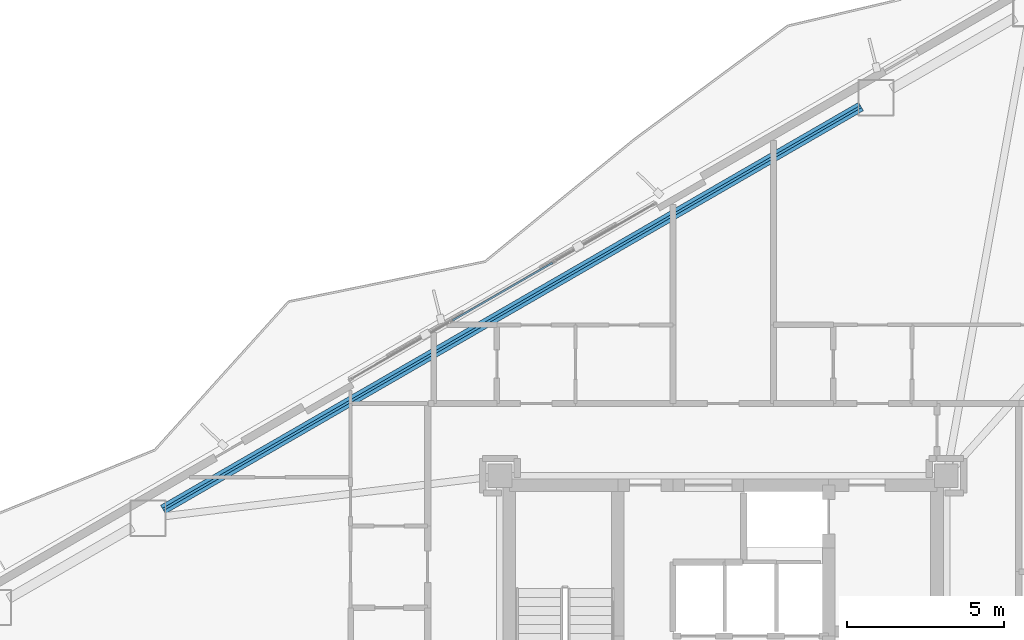
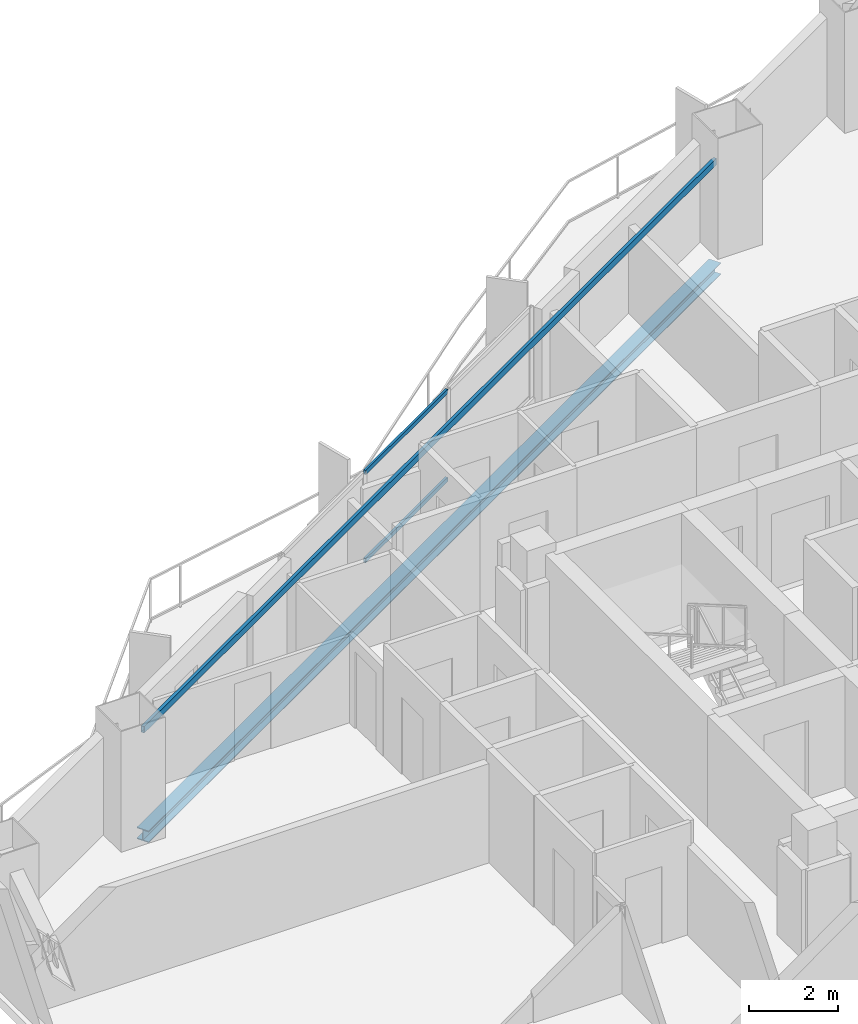
# One storey, part 12 of 22: 2 beams, 2 members, 1 element without a shape of its own.
"""IFC4 building model written with IfcOpenShell, lengths in metres."""

from ifc_helpers import new_model, si_unit, direction, frame, origin, origin_2d, place, context, subcontext, project, spatial, hollow_rectangle, i_section, extrude, material, layer, layer_set, material_profile, profile_set, type_object, element, aggregate, save


model = new_model("IFC4")

# Units and contexts
model_context = context("Model", 3, precision=1e-05, world=origin(), true_north=direction((0.0, 1.0)))
body_context = subcontext(model_context, "Body", "Model", "MODEL_VIEW")
ifc_project = project(units=[si_unit("LENGTHUNIT", "METRE"), si_unit("AREAUNIT", "SQUARE_METRE"), si_unit("VOLUMEUNIT", "CUBIC_METRE"), si_unit("PLANEANGLEUNIT", "RADIAN"), si_unit("MASSUNIT", "GRAM", prefix="KILO")], contexts=[model_context])

# Site, building, storey
site_placement = place(None, origin())
site = spatial("IfcSite", under=ifc_project, at=site_placement, CompositionType="ELEMENT")
building_placement = place(site_placement, origin())
building = spatial("IfcBuilding", under=site, at=building_placement, Name="Mersakhor Tower and Convention Hall", CompositionType="ELEMENT")
storey_placement = place(building_placement, frame((0.0, 0.0, 103.199951171875)))
storey = spatial("IfcBuildingStorey", under=building, at=storey_placement, Name="L28", CompositionType="ELEMENT", Elevation=103.199951171875)

# Beams
ifc_material_1 = material(Name="Steel S355", Category="steel")
ifc_material_profile_1 = material_profile(ifc_material_1, hollow_rectangle(XDim=0.080078125, YDim=0.179931640625, WallThickness=0.008056640625, at=origin_2d()), Name="RHS 180x80x8")
ifc_profile_set_1 = profile_set([ifc_material_profile_1], Name="Steel S355")
beam_type_1 = type_object("IfcBeamType", Name="BM-GRT-RHS180", PredefinedType="USERDEFINED", material=ifc_profile_set_1)
beam_1_placement = place(storey_placement, frame((11.18310546875, 31.976318359375, 2.47998046875), z_axis=(0.866022538643, 0.500004962538, 0.0), x_axis=(-0.500004962538, 0.866022538643, 0.0)))
element("IfcBeam", 1, at=beam_1_placement, inside=storey, type_object=beam_type_1, Name="L28 Facade Support Girt GRT-F1", ObjectType="GIRT", PredefinedType="USERDEFINED", context=body_context, shape_type="SweptSolid", body=[
    extrude(hollow_rectangle(XDim=0.080078125, YDim=0.179931640625, WallThickness=0.008056640625, at=origin_2d()), origin(), (0.0, 0.0, 1.0), 25.633544921875),
])
ifc_material_2 = material(Name="Steel S355", Category="steel")
ifc_material_profile_2 = material_profile(ifc_material_2, i_section(OverallWidth=0.30908203125, OverallDepth=0.320556640625, WebThickness=0.013916015625, FlangeThickness=0.021728515625, at=origin_2d()), Name="UC 305x305x137")
ifc_profile_set_2 = profile_set([ifc_material_profile_2], Name="Steel S355")
beam_type_2 = type_object("IfcBeamType", Name="BM-SPD-UC305", PredefinedType="SPANDREL", material=ifc_profile_set_2)
beam_2_placement = place(storey_placement, frame((11.18310546875, 31.976318359375, -0.41015625), z_axis=(0.866022538643, 0.500004962538, 0.0), x_axis=(-0.500004962538, 0.866022538643, 0.0)))
element("IfcBeam", 2, at=beam_2_placement, inside=storey, type_object=beam_type_2, Name="L28 Perimeter Spandrel Beam SPB-02", PredefinedType="SPANDREL", context=body_context, shape_type="SweptSolid", body=[
    extrude(i_section(OverallWidth=0.30908203125, OverallDepth=0.320556640625, WebThickness=0.013916015625, FlangeThickness=0.021728515625, at=origin_2d()), origin(), (0.0, 0.0, 1.0), 25.633544921875),
])

# Curtain wall, members
ifc_material_3 = material(Name="Dark solar low-E aluminium curtain wall", Category="aluminium")
ifc_layer = layer(ifc_material_3, 0.159912109375)
ifc_layer_set = layer_set([ifc_layer], Name="Dark solar low-E aluminium curtain wall")
curtain_wall_type = type_object("IfcCurtainWallType", Name="CW-SYS-01", PredefinedType="USERDEFINED", material=ifc_layer_set)
curtain_wall_placement = place(storey_placement, origin())
curtain_wall = element("IfcCurtainWall", 3, at=curtain_wall_placement, inside=storey, type_object=curtain_wall_type, Name="L28 Dark-Glass Curtain Wall F1-B2", ObjectType="CURTAIN WALL", PredefinedType="USERDEFINED")
ifc_material_4 = material(Name="Anodised aluminium EN AW-6063 T6", Category="aluminium")
ifc_material_profile_3 = material_profile(ifc_material_4, hollow_rectangle(XDim=0.06005859375, YDim=0.1201171875, WallThickness=0.0048828125, at=origin_2d()), Name="RHS 120x60x5")
ifc_profile_set_3 = profile_set([ifc_material_profile_3], Name="Anodised aluminium EN AW-6063 T6")
member_type = type_object("IfcMemberType", Name="CWT-120x60", PredefinedType="USERDEFINED", material=ifc_profile_set_3)
member_1_placement = place(storey_placement, frame((20.394287109375, 37.9873046875, 0.22998046875), z_axis=(0.866039286129, 0.499975954304, 0.0), x_axis=(-0.499975954304, 0.866039286129, 0.0)))
member_1 = element("IfcMember", 4, at=member_1_placement, type_object=member_type, Name="CW-01 transom 2.1", ObjectType="TRANSOM", PredefinedType="USERDEFINED", context=body_context, shape_type="SweptSolid", body=[
    extrude(hollow_rectangle(XDim=0.06005859375, YDim=0.1201171875, WallThickness=0.0048828125, at=origin_2d()), origin(), (0.0, 0.0, 1.0), 3.668212890625),
])
member_2_placement = place(storey_placement, frame((20.394287109375, 37.9873046875, 2.64013671875), z_axis=(0.866039286129, 0.499975954304, 0.0), x_axis=(-0.499975954304, 0.866039286129, 0.0)))
member_2 = element("IfcMember", 5, at=member_2_placement, type_object=member_type, Name="CW-01 transom 2.2", ObjectType="TRANSOM", PredefinedType="USERDEFINED", context=body_context, shape_type="SweptSolid", body=[
    extrude(hollow_rectangle(XDim=0.06005859375, YDim=0.1201171875, WallThickness=0.0048828125, at=origin_2d()), origin(), (0.0, 0.0, 1.0), 3.668212890625),
])
aggregate(curtain_wall, [member_1, member_2])

save(model, "model.ifc")
